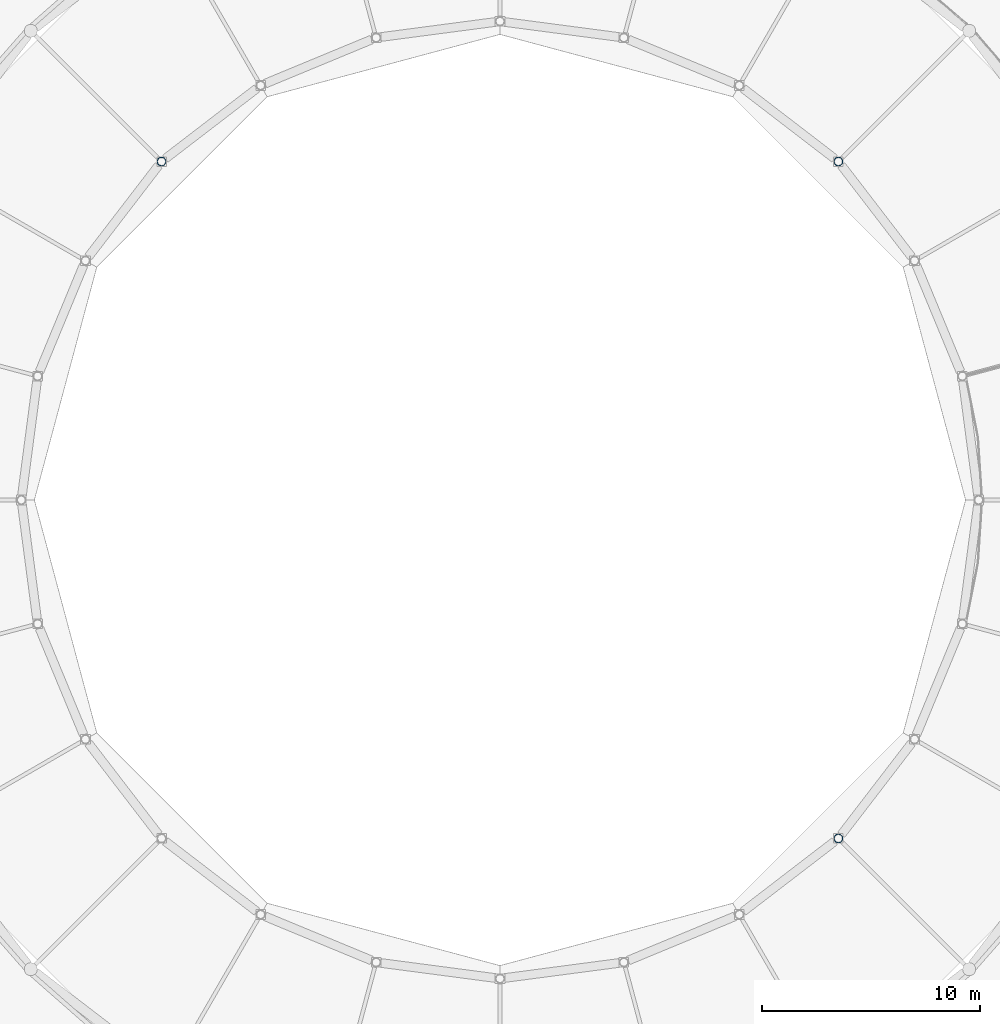
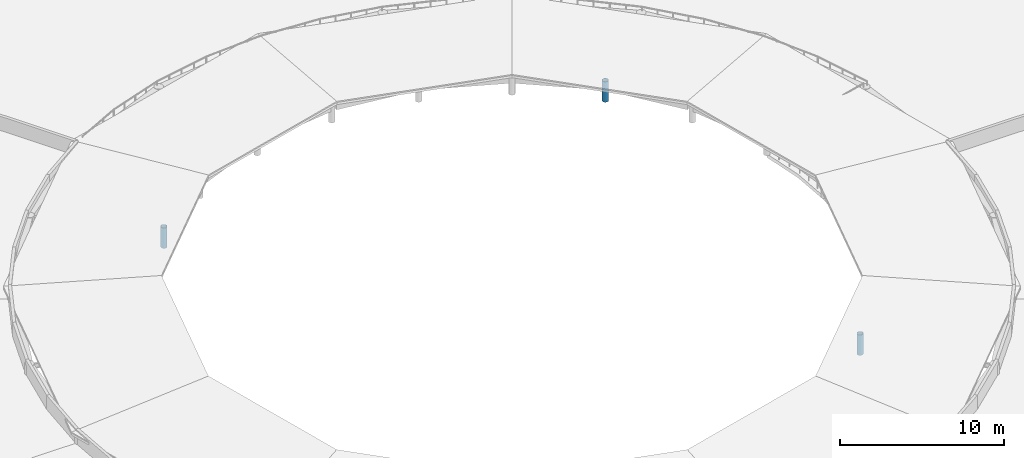
# One storey, part 3 of 77: 3 columns.
"""IFC4 building model written with IfcOpenShell, lengths in metres."""

from ifc_helpers import new_model, si_unit, direction, frame, origin, origin_2d, place, context, subcontext, project, spatial, hollow_circle, extrude, material, material_profile, profile_set, type_object, element, save


model = new_model("IFC4")

# Units and contexts
model_context = context("Model", 3, precision=1e-05, world=origin(), true_north=direction((0.0, 1.0)))
body_context = subcontext(model_context, "Body", "Model", "MODEL_VIEW")
ifc_project = project(units=[si_unit("LENGTHUNIT", "METRE"), si_unit("AREAUNIT", "SQUARE_METRE"), si_unit("VOLUMEUNIT", "CUBIC_METRE"), si_unit("PLANEANGLEUNIT", "RADIAN"), si_unit("MASSUNIT", "GRAM", prefix="KILO")], contexts=[model_context])

# Site, building, storey
site_placement = place(None, origin())
site = spatial("IfcSite", under=ifc_project, at=site_placement, CompositionType="ELEMENT")
building_placement = place(site_placement, origin())
building = spatial("IfcBuilding", under=site, at=building_placement, Name="Larkveld Mobility Hub", CompositionType="ELEMENT")
storey_placement = place(building_placement, frame((0.0, 0.0, 12.0)))
storey = spatial("IfcBuildingStorey", under=building, at=storey_placement, Name="L03", CompositionType="ELEMENT", Elevation=12.0)

# Columns
ifc_material = material(Name="Steel S355JR", Category="steel")
ifc_material_profile = material_profile(ifc_material, hollow_circle(Radius=0.203125, WallThickness=0.01611328125, at=origin_2d()), Name="CHS 406.4x16")
ifc_profile_set = profile_set([ifc_material_profile], Name="Steel S355JR")
column_type = type_object("IfcColumnType", Name="CL-STCHS406", PredefinedType="COLUMN", material=ifc_profile_set)
for number, where, z_axis, x_axis, name in (
    (1, (63.555908203125, 63.555908203125, 0.0), (0.0, 0.0, 1.0), (1.0, 0.0, 0.0), "Column DRM-R22-K06 (L03)"),
    (2, (32.444091796875, 63.555908203125, 0.0), (0.0, 0.0, 1.0), (1.0, 0.0, 0.0), "Column DRM-R22-K18 (L03)"),
    (3, (63.555908203125, 32.444091796875, 0.0), (0.0, 0.0, 1.0), (1.0, 0.0, 0.0), "Column DRM-R22-K42 (L03)"),
):
    element("IfcColumn", number, at=place(storey_placement, frame(where, z_axis=z_axis, x_axis=x_axis)), inside=storey, type_object=column_type, Name=name, PredefinedType="COLUMN", context=body_context, shape_type="SweptSolid", body=[
        extrude(hollow_circle(Radius=0.203125, WallThickness=0.01611328125, at=origin_2d()), origin(), (0.0, 0.0, 1.0), 1.52001953125),
    ])

save(model, "model.ifc")
